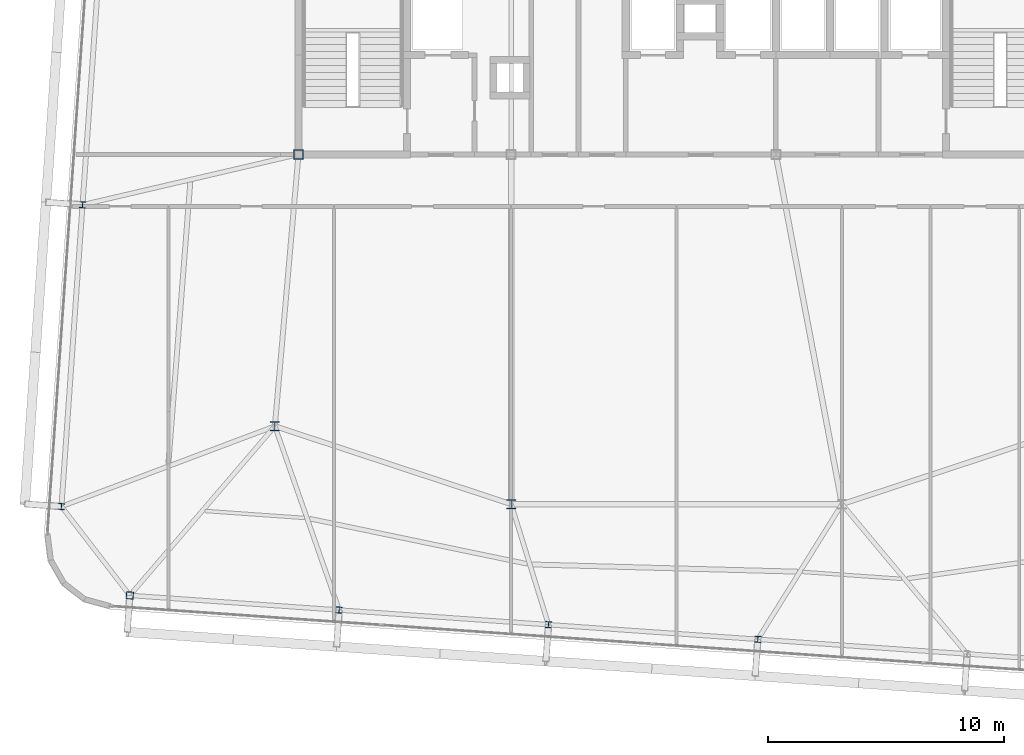
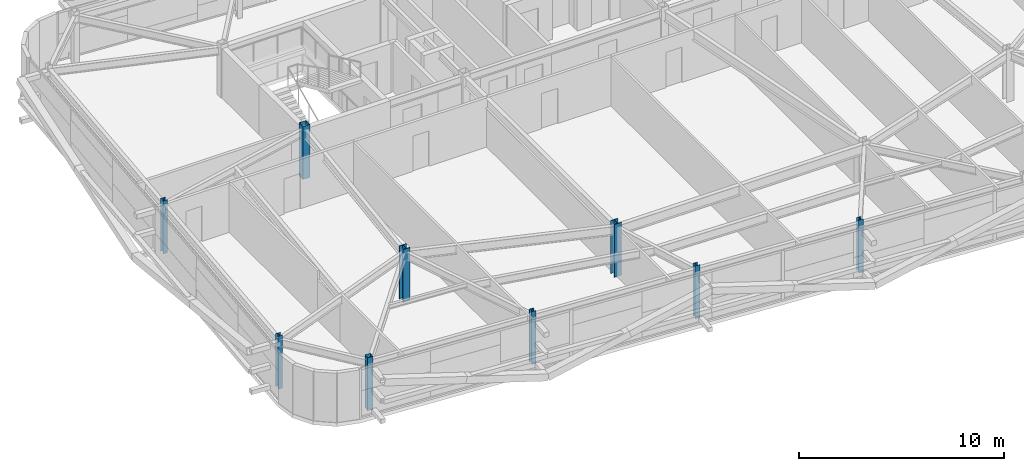
# One storey, part 1 of 39: 9 columns.
"""IFC4 building model written with IfcOpenShell, lengths in metres."""

from ifc_helpers import new_model, si_unit, direction, frame, origin, origin_2d, place, context, subcontext, project, spatial, hollow_rectangle, i_section, extrude, source, transform, mapped, material, material_profile, profile_set, type_object, element, save


model = new_model("IFC4")

# Units and contexts
model_context = context("Model", 3, precision=1e-05, world=origin(), true_north=direction((0.0, 1.0)))
body_context = subcontext(model_context, "Body", "Model", "MODEL_VIEW")
ifc_project = project(units=[si_unit("LENGTHUNIT", "METRE"), si_unit("AREAUNIT", "SQUARE_METRE"), si_unit("VOLUMEUNIT", "CUBIC_METRE"), si_unit("PLANEANGLEUNIT", "RADIAN"), si_unit("MASSUNIT", "GRAM", prefix="KILO")], contexts=[model_context])

# Site, building, storey
site_placement = place(None, origin())
site = spatial("IfcSite", under=ifc_project, at=site_placement, CompositionType="ELEMENT")
building_placement = place(site_placement, origin())
building = spatial("IfcBuilding", under=site, at=building_placement, Name="Taldren Reach Tower", CompositionType="ELEMENT")
storey_placement = place(building_placement, frame((0.0, 0.0, 155.050048828125)))
storey = spatial("IfcBuildingStorey", under=building, at=storey_placement, Name="L47", CompositionType="ELEMENT", Elevation=155.050048828125)

# Columns
ifc_material_1 = material(Name="Steel Gr 350 (350PLUS)", Category="steel")
ifc_material_profile_1 = material_profile(ifc_material_1, i_section(OverallWidth=0.39990234375, OverallDepth=0.39599609375, WebThickness=0.02197265625, FlangeThickness=0.033935546875, at=origin_2d()), Name="400WC270")
ifc_profile_set_1 = profile_set([ifc_material_profile_1], Name="Steel Gr 350 (350PLUS)")
column_type_1 = type_object("IfcColumnType", Name="COL-WC400", PredefinedType="COLUMN", material=ifc_profile_set_1)
shared_shape_1 = source(origin(), body_context, "Body", "SweptSolid", [
    extrude(i_section(OverallWidth=0.39990234375, OverallDepth=0.39599609375, WebThickness=0.02197265625, FlangeThickness=0.033935546875, at=origin_2d()), origin(), (0.0, 0.0, 1.0), 3.14990234375),
])
for number, where, z_axis, x_axis, name in (
    (1, (28.0, 9.199951171875, 0.0), (0.0, 0.0, 1.0), (1.0, 0.0, 0.0), "Mega column MC-PJW L47"),
    (2, (18.0, 12.5, 0.0), (0.0, 0.0, 1.0), (1.0, 0.0, 0.0), "Mega column MC-SW L47"),
):
    element("IfcColumn", number, at=place(storey_placement, frame(where, z_axis=z_axis, x_axis=x_axis)), inside=storey, type_object=column_type_1, Name=name, PredefinedType="COLUMN", context=body_context, shape_type="MappedRepresentation", body=[
        mapped(shared_shape_1, transform((0.0, 0.0, 0.0), scale=1.0)),
    ])
ifc_material_2 = material(Name="Steel Gr 450 (C450L0)", Category="steel")
ifc_material_profile_2 = material_profile(ifc_material_2, hollow_rectangle(XDim=0.39990234375, YDim=0.39990234375, WallThickness=0.01611328125, at=origin_2d()), Name="400x400x16.0SHS")
ifc_profile_set_2 = profile_set([ifc_material_profile_2], Name="Steel Gr 450 (C450L0)")
column_type_2 = type_object("IfcColumnType", Name="COL-SHS400", PredefinedType="COLUMN", material=ifc_profile_set_2)
shared_shape_2 = source(origin(), body_context, "Body", "SweptSolid", [
    extrude(hollow_rectangle(XDim=0.39990234375, YDim=0.39990234375, WallThickness=0.01611328125, at=origin_2d()), origin(), (0.0, 0.0, 1.0), 3.14990234375),
])
column_1_placement = place(storey_placement, frame((19.0, 24.0, 0.0), z_axis=(0.0, 0.0, 1.0), x_axis=(1.0, 0.0, 0.0)))
element("IfcColumn", 3, at=column_1_placement, inside=storey, type_object=column_type_2, Name="Mega column MC-C1 L47", PredefinedType="COLUMN", context=body_context, shape_type="MappedRepresentation", body=[
    mapped(shared_shape_2, transform((0.0, 0.0, 0.0), scale=1.0)),
])
ifc_material_profile_3 = material_profile(ifc_material_2, hollow_rectangle(XDim=0.300048828125, YDim=0.300048828125, WallThickness=0.012451171875, at=origin_2d()), Name="300x300x12.5SHS")
ifc_profile_set_3 = profile_set([ifc_material_profile_3], Name="Steel Gr 450 (C450L0)")
column_type_3 = type_object("IfcColumnType", Name="COL-SHS300", PredefinedType="COLUMN", material=ifc_profile_set_3)
shared_shape_3 = source(origin(), body_context, "Body", "SweptSolid", [
    extrude(hollow_rectangle(XDim=0.300048828125, YDim=0.300048828125, WallThickness=0.012451171875, at=origin_2d()), origin(), (0.0, 0.0, 1.0), 3.14990234375),
])
column_2_placement = place(storey_placement, frame((11.863525390625, 5.33837890625, 0.0), z_axis=(0.0, 0.0, 1.0), x_axis=(0.99756405026, -0.069756473744, 0.0)))
element("IfcColumn", 4, at=column_2_placement, inside=storey, type_object=column_type_3, Name="Block B3 perimeter column S1 L47", PredefinedType="COLUMN", context=body_context, shape_type="MappedRepresentation", body=[
    mapped(shared_shape_3, transform((0.0, 0.0, 0.0), scale=1.0)),
])
ifc_material_profile_4 = material_profile(ifc_material_1, i_section(OverallWidth=0.256103515625, OverallDepth=0.260009765625, WebThickness=0.010498046875, FlangeThickness=0.017333984375, at=origin_2d()), Name="250UC89.5")
ifc_profile_set_4 = profile_set([ifc_material_profile_4], Name="Steel Gr 350 (350PLUS)")
column_type_4 = type_object("IfcColumnType", Name="COL-UC250", PredefinedType="COLUMN", material=ifc_profile_set_4)
shared_shape_4 = source(origin(), body_context, "Body", "SweptSolid", [
    extrude(i_section(OverallWidth=0.256103515625, OverallDepth=0.260009765625, WebThickness=0.010498046875, FlangeThickness=0.017333984375, at=origin_2d()), origin(), (0.0, 0.0, 1.0), 3.14990234375),
])
for number, where, z_axis, x_axis, name in (
    (5, (20.721923828125, 4.718994140625, 0.0), (0.0, 0.0, 1.0), (0.99756405026, -0.069756473744, 0.0), "Block B3 perimeter column S2 L47"),
    (6, (29.580322265625, 4.099609375, 0.0), (0.0, 0.0, 1.0), (0.99756405026, -0.069756473744, 0.0), "Block B3 perimeter column S3 L47"),
    (7, (38.438720703125, 3.480224609375, 0.0), (0.0, 0.0, 1.0), (0.99756405026, -0.069756473744, 0.0), "Block B3 perimeter column S4 L47"),
    (8, (8.96875, 9.099609375, 0.0), (0.0, 0.0, 1.0), (0.99756405026, -0.069756473744, 0.0), "Block B3 perimeter column W1 L47"),
    (9, (9.86181640625, 21.868408203125, 0.0), (0.0, 0.0, 1.0), (0.99756405026, -0.069756473744, 0.0), "Block B3 perimeter column W2 L47"),
):
    element("IfcColumn", number, at=place(storey_placement, frame(where, z_axis=z_axis, x_axis=x_axis)), inside=storey, type_object=column_type_4, Name=name, PredefinedType="COLUMN", context=body_context, shape_type="MappedRepresentation", body=[
        mapped(shared_shape_4, transform((0.0, 0.0, 0.0), scale=1.0)),
    ])

save(model, "model.ifc")
